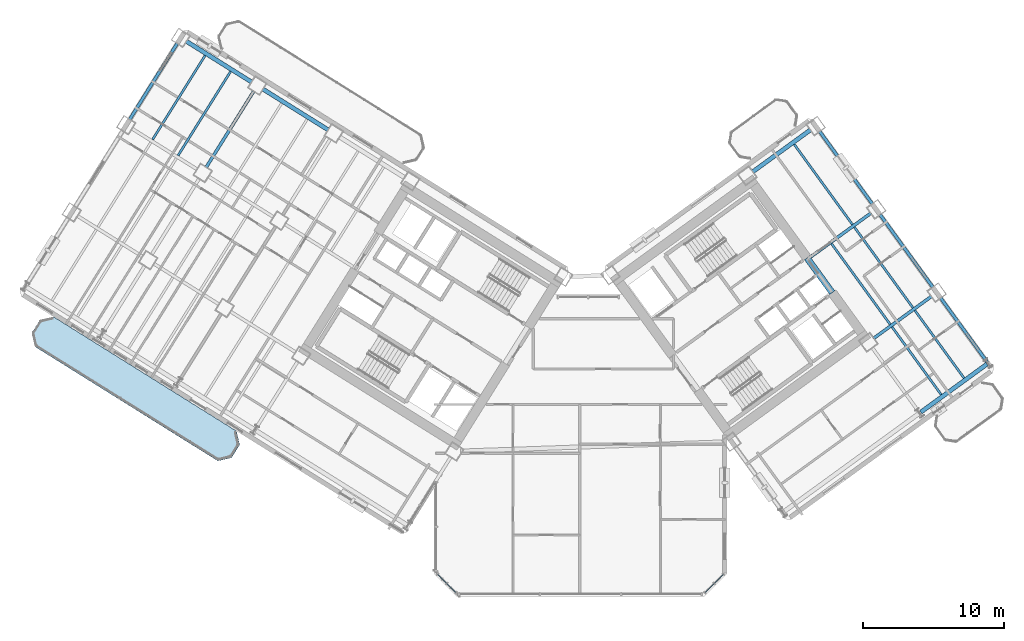
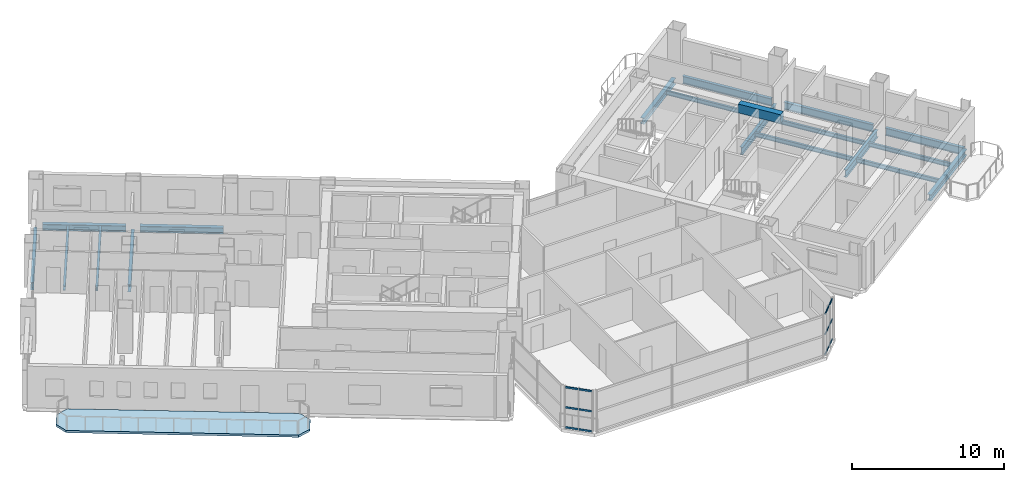
# One storey, part 12 of 24: 19 beams, 12 members, 1 slab, 2 elements without a shape of their own.
"""IFC4 building model written with IfcOpenShell, lengths in metres."""

from ifc_helpers import new_model, si_unit, direction, frame, origin, origin_2d, place, context, subcontext, project, spatial, polyline, rectangle, hollow_rectangle, i_section, outline, extrude, source, transform, mapped, material, layer, layer_set, material_profile, profile_set, type_object, element, aggregate, save


model = new_model("IFC4")

# Units and contexts
model_context = context("Model", 3, precision=1e-05, world=origin(), true_north=direction((0.0, 1.0)))
body_context = subcontext(model_context, "Body", "Model", "MODEL_VIEW")
ifc_project = project(units=[si_unit("LENGTHUNIT", "METRE"), si_unit("AREAUNIT", "SQUARE_METRE"), si_unit("VOLUMEUNIT", "CUBIC_METRE"), si_unit("PLANEANGLEUNIT", "RADIAN"), si_unit("MASSUNIT", "GRAM", prefix="KILO")], contexts=[model_context])

# Site, building, storey
site_placement = place(None, origin())
site = spatial("IfcSite", under=ifc_project, at=site_placement, CompositionType="ELEMENT")
building_placement = place(site_placement, origin())
building = spatial("IfcBuilding", under=site, at=building_placement, Name="Tlacorven Tower", CompositionType="ELEMENT")
storey_placement = place(building_placement, frame((0.0, 0.0, 31.199951171875)))
storey = spatial("IfcBuildingStorey", under=building, at=storey_placement, Name="L07", CompositionType="ELEMENT", Elevation=31.199951171875)

# Beams
ifc_material_1 = material(Name="Concrete C60/75", Category="concrete")
ifc_material_profile_1 = material_profile(ifc_material_1, rectangle(XDim=0.449951171875, YDim=0.699951171875, at=origin_2d()), Name="RC 450X700")
ifc_profile_set_1 = profile_set([ifc_material_profile_1], Name="Concrete C60/75")
beam_type_1 = type_object("IfcBeamType", Name="BM-LNT-700", PredefinedType="LINTEL", material=ifc_profile_set_1)
shared_shape_1 = source(origin(), body_context, "Body", "SweptSolid", [
    extrude(rectangle(XDim=0.449951171875, YDim=0.699951171875, at=origin_2d()), origin(), (0.0, 0.0, 1.0), 3.050048828125),
])
beam_1_placement = place(storey_placement, frame((59.856689453125, 23.345947265625, 3.0), z_axis=(-0.587776590479, 0.80902328748, 0.0), x_axis=(-0.80902328748, -0.587776590479, 0.0)))
element("IfcBeam", 1, at=beam_1_placement, inside=storey, type_object=beam_type_1, Name="L07 E core coupling lintel beam E2", PredefinedType="LINTEL", context=body_context, shape_type="MappedRepresentation", body=[
    mapped(shared_shape_1, transform((0.0, 0.0, 0.0), scale=1.0)),
])
ifc_material_2 = material(Name="Steel S355J2", Category="steel")
ifc_material_profile_2 = material_profile(ifc_material_2, i_section(OverallWidth=0.300048828125, OverallDepth=0.489990234375, WebThickness=0.011962890625, FlangeThickness=0.02294921875, at=origin_2d()), Name="HEA 500")
ifc_profile_set_2 = profile_set([ifc_material_profile_2], Name="Steel S355J2")
beam_type_2 = type_object("IfcBeamType", Name="BM-SPN-500", PredefinedType="SPANDREL", material=ifc_profile_set_2)
shared_shape_2 = source(origin(), body_context, "Body", "SweptSolid", [
    extrude(i_section(OverallWidth=0.300048828125, OverallDepth=0.489990234375, WebThickness=0.011962890625, FlangeThickness=0.02294921875, at=origin_2d()), origin(), (0.0, 0.0, 1.0), 5.5),
])
for number, where, z_axis, x_axis, name in (
    (2, (24.118896484375, 34.88134765625, -0.494873046875), (-0.848050668838, 0.52991514706, 0.0), (-0.52991514706, -0.848050668838, 0.0), "L07 beam BM-L07-WL1-4"),
    (3, (18.69140625, 38.272705078125, -0.494873046875), (-0.848050668838, 0.52991514706, 0.0), (-0.52991514706, -0.848050668838, 0.0), "L07 beam BM-L07-WL1-5"),
):
    element("IfcBeam", number, at=place(storey_placement, frame(where, z_axis=z_axis, x_axis=x_axis)), inside=storey, type_object=beam_type_2, Name=name, PredefinedType="SPANDREL", context=body_context, shape_type="MappedRepresentation", body=[
        mapped(shared_shape_2, transform((0.0, 0.0, 0.0), scale=1.0)),
    ])
ifc_material_profile_3 = material_profile(ifc_material_2, i_section(OverallWidth=0.219970703125, OverallDepth=0.60009765625, WebThickness=0.011962890625, FlangeThickness=0.01904296875, at=origin_2d()), Name="IPE 600")
ifc_profile_set_3 = profile_set([ifc_material_profile_3], Name="Steel S355J2")
beam_type_3 = type_object("IfcBeamType", Name="BM-TWR-600", PredefinedType="BEAM", material=ifc_profile_set_3)
shared_shape_3 = source(origin(), body_context, "Body", "SweptSolid", [
    extrude(i_section(OverallWidth=0.219970703125, OverallDepth=0.60009765625, WebThickness=0.011962890625, FlangeThickness=0.01904296875, at=origin_2d()), origin(), (0.0, 0.0, 1.0), 5.650146484375),
])
beam_2_placement = place(storey_placement, frame((70.853271484375, 18.41845703125, -0.550048828125), z_axis=(-0.587783675561, 0.809018139935, 0.0), x_axis=(-0.809018139935, -0.587783675561, 0.0)))
element("IfcBeam", 4, at=beam_2_placement, inside=storey, type_object=beam_type_3, Name="L07 beam BM-L07-ET4-1", PredefinedType="BEAM", context=body_context, shape_type="MappedRepresentation", body=[
    mapped(shared_shape_3, transform((0.0, 0.0, 0.0), scale=1.0)),
])
shared_shape_4 = source(origin(), body_context, "Body", "SweptSolid", [
    extrude(i_section(OverallWidth=0.219970703125, OverallDepth=0.60009765625, WebThickness=0.011962890625, FlangeThickness=0.01904296875, at=origin_2d()), origin(), (0.0, 0.0, 1.0), 6.39990234375),
])
for number, where, z_axis, x_axis, name in (
    (5, (67.003173828125, 23.717529296875, -0.550048828125), (-0.587772420479, 0.809026317077, 0.0), (-0.809026317077, -0.587772420479, 0.0), "L07 beam BM-L07-ET4-2"),
    (6, (62.71240234375, 29.62353515625, -0.550048828125), (-0.587815528162, 0.808994996803, 0.0), (-0.808994996803, -0.587815528162, 0.0), "L07 beam BM-L07-ET4-3"),
):
    element("IfcBeam", number, at=place(storey_placement, frame(where, z_axis=z_axis, x_axis=x_axis)), inside=storey, type_object=beam_type_3, Name=name, PredefinedType="BEAM", context=body_context, shape_type="MappedRepresentation", body=[
        mapped(shared_shape_4, transform((0.0, 0.0, 0.0), scale=1.0)),
    ])
shared_shape_5 = source(origin(), body_context, "Body", "SweptSolid", [
    extrude(i_section(OverallWidth=0.219970703125, OverallDepth=0.60009765625, WebThickness=0.011962890625, FlangeThickness=0.01904296875, at=origin_2d()), origin(), (0.0, 0.0, 1.0), 6.400146484375),
])
for number, where, z_axis, x_axis, name in (
    (7, (18.83447265625, 37.652587890625, -0.550048828125), (-0.529933789039, -0.848039019877, 0.0), (0.848039019877, -0.529933789039, 0.0), "L07 beam BM-L07-WT5-1"),
    (8, (13.406982421875, 41.044189453125, -0.550048828125), (-0.529933789039, -0.848039019877, 0.0), (0.848039019877, -0.529933789039, 0.0), "L07 beam BM-L07-WT6-1"),
):
    element("IfcBeam", number, at=place(storey_placement, frame(where, z_axis=z_axis, x_axis=x_axis)), inside=storey, type_object=beam_type_3, Name=name, PredefinedType="BEAM", context=body_context, shape_type="MappedRepresentation", body=[
        mapped(shared_shape_5, transform((0.0, 0.0, 0.0), scale=1.0)),
    ])
ifc_material_profile_4 = material_profile(ifc_material_2, i_section(OverallWidth=0.159912109375, OverallDepth=0.330078125, WebThickness=0.007568359375, FlangeThickness=0.011474609375, at=origin_2d()), Name="IPE 330")
ifc_profile_set_4 = profile_set([ifc_material_profile_4], Name="Steel S355J2")
beam_type_4 = type_object("IfcBeamType", Name="BM-JST-330", PredefinedType="JOIST", material=ifc_profile_set_4)
shared_shape_6 = source(origin(), body_context, "Body", "SweptSolid", [
    extrude(i_section(OverallWidth=0.159912109375, OverallDepth=0.330078125, WebThickness=0.007568359375, FlangeThickness=0.011474609375, at=origin_2d()), origin(), (0.0, 0.0, 1.0), 7.030029296875),
])
for number, where, z_axis, x_axis, name in (
    (9, (17.181640625, 39.033447265625, -0.4150390625), (-0.529911532383, -0.848052927504, 0.0), (0.848052927504, -0.529911532383, 0.0), "L07 beam BM-L07-WJ5-1-1"),
    (10, (15.372314453125, 40.163818359375, -0.4150390625), (-0.529927139185, -0.84804317529, 0.0), (0.84804317529, -0.529927139185, 0.0), "L07 beam BM-L07-WJ5-1-2"),
    (11, (61.291259765625, 28.1767578125, -0.4150390625), (-0.587773097846, 0.809025824958, 0.0), (-0.809025824958, -0.587773097846, 0.0), "L07 beam BM-L07-EJ3-3-2"),
):
    element("IfcBeam", number, at=place(storey_placement, frame(where, z_axis=z_axis, x_axis=x_axis)), inside=storey, type_object=beam_type_4, Name=name, PredefinedType="JOIST", context=body_context, shape_type="MappedRepresentation", body=[
        mapped(shared_shape_6, transform((0.0, 0.0, 0.0), scale=1.0)),
    ])
shared_shape_7 = source(origin(), body_context, "Body", "SweptSolid", [
    extrude(i_section(OverallWidth=0.159912109375, OverallDepth=0.330078125, WebThickness=0.007568359375, FlangeThickness=0.011474609375, at=origin_2d()), origin(), (0.0, 0.0, 1.0), 5.93017578125),
])
for number, where, z_axis, x_axis, name in (
    (12, (67.584716796875, 16.11181640625, -0.4150390625), (-0.587777512947, 0.809022617282, 0.0), (-0.809022617282, -0.587777512947, 0.0), "L07 beam BM-L07-EJ3-1-1"),
    (13, (69.202880859375, 17.287353515625, -0.4150390625), (-0.587777512947, 0.809022617282, 0.0), (-0.809022617282, -0.587777512947, 0.0), "L07 beam BM-L07-EJ3-1-2"),
):
    element("IfcBeam", number, at=place(storey_placement, frame(where, z_axis=z_axis, x_axis=x_axis)), inside=storey, type_object=beam_type_4, Name=name, PredefinedType="JOIST", context=body_context, shape_type="MappedRepresentation", body=[
        mapped(shared_shape_7, transform((0.0, 0.0, 0.0), scale=1.0)),
    ])
shared_shape_8 = source(origin(), body_context, "Body", "SweptSolid", [
    extrude(i_section(OverallWidth=0.159912109375, OverallDepth=0.330078125, WebThickness=0.007568359375, FlangeThickness=0.011474609375, at=origin_2d()), origin(), (0.0, 0.0, 1.0), 7.070068359375),
])
beam_3_placement = place(storey_placement, frame((63.964111328125, 21.095458984375, -0.4150390625), z_axis=(-0.587797946309, 0.80900777148, 0.0), x_axis=(-0.80900777148, -0.587797946309, 0.0)))
element("IfcBeam", 14, at=beam_3_placement, inside=storey, type_object=beam_type_4, Name="L07 beam BM-L07-EJ3-2-1", PredefinedType="JOIST", context=body_context, shape_type="MappedRepresentation", body=[
    mapped(shared_shape_8, transform((0.0, 0.0, 0.0), scale=1.0)),
])
shared_shape_9 = source(origin(), body_context, "Body", "SweptSolid", [
    extrude(i_section(OverallWidth=0.159912109375, OverallDepth=0.330078125, WebThickness=0.007568359375, FlangeThickness=0.011474609375, at=origin_2d()), origin(), (0.0, 0.0, 1.0), 7.06982421875),
])
beam_4_placement = place(storey_placement, frame((65.58203125, 22.27099609375, -0.4150390625), z_axis=(-0.58777534487, 0.809024192446, 0.0), x_axis=(-0.809024192446, -0.58777534487, 0.0)))
element("IfcBeam", 15, at=beam_4_placement, inside=storey, type_object=beam_type_4, Name="L07 beam BM-L07-EJ3-2-2", PredefinedType="JOIST", context=body_context, shape_type="MappedRepresentation", body=[
    mapped(shared_shape_9, transform((0.0, 0.0, 0.0), scale=1.0)),
])
shared_shape_10 = source(origin(), body_context, "Body", "SweptSolid", [
    extrude(i_section(OverallWidth=0.300048828125, OverallDepth=0.489990234375, WebThickness=0.011962890625, FlangeThickness=0.02294921875, at=origin_2d()), origin(), (0.0, 0.0, 1.0), 5.800048828125),
])
beam_5_placement = place(storey_placement, frame((66.138671875, 14.86962890625, -0.494873046875), z_axis=(0.809019944521, 0.587781191743, 0.0), x_axis=(-0.587781191743, 0.809019944521, 0.0)))
element("IfcBeam", 16, at=beam_5_placement, inside=storey, type_object=beam_type_2, Name="L07 beam BM-L07-EL1-3", PredefinedType="SPANDREL", context=body_context, shape_type="MappedRepresentation", body=[
    mapped(shared_shape_10, transform((0.0, 0.0, 0.0), scale=1.0)),
])
shared_shape_11 = source(origin(), body_context, "Body", "SweptSolid", [
    extrude(i_section(OverallWidth=0.219970703125, OverallDepth=0.60009765625, WebThickness=0.011962890625, FlangeThickness=0.01904296875, at=origin_2d()), origin(), (0.0, 0.0, 1.0), 5.10009765625),
])
beam_6_placement = place(storey_placement, frame((62.777587890625, 20.09130859375, -0.550048828125), z_axis=(0.809007176828, 0.58779876475, 0.0), x_axis=(-0.58779876475, 0.809007176828, 0.0)))
element("IfcBeam", 17, at=beam_6_placement, inside=storey, type_object=beam_type_3, Name="L07 beam BM-L07-EL2-3", PredefinedType="BEAM", context=body_context, shape_type="MappedRepresentation", body=[
    mapped(shared_shape_11, transform((0.0, 0.0, 0.0), scale=1.0)),
])
shared_shape_12 = source(origin(), body_context, "Body", "SweptSolid", [
    extrude(i_section(OverallWidth=0.219970703125, OverallDepth=0.60009765625, WebThickness=0.011962890625, FlangeThickness=0.01904296875, at=origin_2d()), origin(), (0.0, 0.0, 1.0), 5.510009765625),
])
beam_7_placement = place(storey_placement, frame((58.155029296875, 25.756103515625, -0.550048828125), z_axis=(0.809015730594, 0.587786991734, 0.0), x_axis=(-0.587786991734, 0.809015730594, 0.0)))
element("IfcBeam", 18, at=beam_7_placement, inside=storey, type_object=beam_type_3, Name="L07 beam BM-L07-EL3-3", PredefinedType="BEAM", context=body_context, shape_type="MappedRepresentation", body=[
    mapped(shared_shape_12, transform((0.0, 0.0, 0.0), scale=1.0)),
])
shared_shape_13 = source(origin(), body_context, "Body", "SweptSolid", [
    extrude(i_section(OverallWidth=0.300048828125, OverallDepth=0.489990234375, WebThickness=0.011962890625, FlangeThickness=0.02294921875, at=origin_2d()), origin(), (0.0, 0.0, 1.0), 5.099853515625),
])
beam_8_placement = place(storey_placement, frame((54.196044921875, 31.903076171875, -0.494873046875), z_axis=(0.809029940764, 0.587767432704, 0.0), x_axis=(-0.587767432704, 0.809029940764, 0.0)))
element("IfcBeam", 19, at=beam_8_placement, inside=storey, type_object=beam_type_2, Name="L07 beam BM-L07-EL4-3", PredefinedType="SPANDREL", context=body_context, shape_type="MappedRepresentation", body=[
    mapped(shared_shape_13, transform((0.0, 0.0, 0.0), scale=1.0)),
])

# Curtain wall, members
ifc_material_3 = material(Name="Dark solar low-E double glazing in aluminium frame", Category="aluminium")
curtain_wall_type = type_object("IfcCurtainWallType", Name="CW-TWR-LOW", PredefinedType="USERDEFINED", material=ifc_material_3)
curtain_wall_1_placement = place(storey_placement, origin())
curtain_wall_1 = element("IfcCurtainWall", 20, at=curtain_wall_1_placement, inside=storey, type_object=curtain_wall_type, Name="L07 CW-TWR-LOW Curtain Wall 33", ObjectType="UNITISED CURTAIN WALL", PredefinedType="USERDEFINED")
ifc_material_4 = material(Name="Aluminium 6063-T6 anodised", Category="aluminium")
ifc_material_profile_5 = material_profile(ifc_material_4, hollow_rectangle(XDim=0.06005859375, YDim=0.139892578125, WallThickness=0.00390625, at=origin_2d()), Name="ALU TRANSOM 60X140")
ifc_profile_set_5 = profile_set([ifc_material_profile_5], Name="Aluminium 6063-T6 anodised")
member_type = type_object("IfcMemberType", Name="CWT-02", PredefinedType="USERDEFINED", material=ifc_profile_set_5)
shared_shape_14 = source(origin(), body_context, "Body", "SweptSolid", [
    extrude(hollow_rectangle(XDim=0.06005859375, YDim=0.139892578125, WallThickness=0.00390625, at=origin_2d()), origin(), (0.0, 0.0, 1.0), 0.8837890625),
])
member_1_placement = place(storey_placement, frame((52.128173828125, 3.3544921875, 0.070068359375), z_axis=(-0.707106781187, -0.707106781187, 0.0), x_axis=(0.707106781187, -0.707106781187, 0.0)))
member_1 = element("IfcMember", 21, at=member_1_placement, type_object=member_type, Name="CW-L07-033 Transom 1", ObjectType="TRANSOM", PredefinedType="USERDEFINED", context=body_context, shape_type="MappedRepresentation", body=[
    mapped(shared_shape_14, transform((0.0, 0.0, 0.0), scale=1.0)),
])
member_2_placement = place(storey_placement, frame((52.128173828125, 3.3544921875, 1.675048828125), z_axis=(-0.707106781187, -0.707106781187, 0.0), x_axis=(0.707106781187, -0.707106781187, 0.0)))
member_2 = element("IfcMember", 22, at=member_2_placement, type_object=member_type, Name="CW-L07-033 Transom 2", ObjectType="TRANSOM", PredefinedType="USERDEFINED", context=body_context, shape_type="MappedRepresentation", body=[
    mapped(shared_shape_14, transform((0.0, 0.0, 0.0), scale=1.0)),
])
member_3_placement = place(storey_placement, frame((52.128173828125, 3.3544921875, 3.280029296875), z_axis=(-0.707106781187, -0.707106781187, 0.0), x_axis=(0.707106781187, -0.707106781187, 0.0)))
member_3 = element("IfcMember", 23, at=member_3_placement, type_object=member_type, Name="CW-L07-033 Transom 3", ObjectType="TRANSOM", PredefinedType="USERDEFINED", context=body_context, shape_type="MappedRepresentation", body=[
    mapped(shared_shape_14, transform((0.0, 0.0, 0.0), scale=1.0)),
])

curtain_wall_2_placement = place(storey_placement, origin())
curtain_wall_2 = element("IfcCurtainWall", 24, at=curtain_wall_2_placement, inside=storey, type_object=curtain_wall_type, Name="L07 CW-TWR-LOW Curtain Wall 35", ObjectType="UNITISED CURTAIN WALL", PredefinedType="USERDEFINED")
member_4_placement = place(storey_placement, frame((32.496826171875, 2.7294921875, 0.070068359375), z_axis=(-0.707106781187, 0.707106781187, 0.0), x_axis=(-0.707106781187, -0.707106781187, 0.0)))
member_4 = element("IfcMember", 25, at=member_4_placement, type_object=member_type, Name="CW-L07-035 Transom 4", ObjectType="TRANSOM", PredefinedType="USERDEFINED", context=body_context, shape_type="MappedRepresentation", body=[
    mapped(shared_shape_14, transform((0.0, 0.0, 0.0), scale=1.0)),
])
member_5_placement = place(storey_placement, frame((32.496826171875, 2.7294921875, 1.675048828125), z_axis=(-0.707106781187, 0.707106781187, 0.0), x_axis=(-0.707106781187, -0.707106781187, 0.0)))
member_5 = element("IfcMember", 26, at=member_5_placement, type_object=member_type, Name="CW-L07-035 Transom 5", ObjectType="TRANSOM", PredefinedType="USERDEFINED", context=body_context, shape_type="MappedRepresentation", body=[
    mapped(shared_shape_14, transform((0.0, 0.0, 0.0), scale=1.0)),
])
member_6_placement = place(storey_placement, frame((32.496826171875, 2.7294921875, 3.280029296875), z_axis=(-0.707106781187, 0.707106781187, 0.0), x_axis=(-0.707106781187, -0.707106781187, 0.0)))
member_6 = element("IfcMember", 27, at=member_6_placement, type_object=member_type, Name="CW-L07-035 Transom 6", ObjectType="TRANSOM", PredefinedType="USERDEFINED", context=body_context, shape_type="MappedRepresentation", body=[
    mapped(shared_shape_14, transform((0.0, 0.0, 0.0), scale=1.0)),
])

# Member
shared_shape_15 = source(origin(), body_context, "Body", "SweptSolid", [
    extrude(hollow_rectangle(XDim=0.06005859375, YDim=0.139892578125, WallThickness=0.00390625, at=origin_2d()), origin(), (0.0, 0.0, 1.0), 0.884033203125),
])
member_7_placement = place(storey_placement, frame((51.470703125, 2.69677734375, 0.070068359375), z_axis=(-0.707244847527, -0.706968687883, 0.0), x_axis=(0.706968687883, -0.707244847527, 0.0)))
member_7 = element("IfcMember", 28, at=member_7_placement, type_object=member_type, Name="CW-L07-033 Transom 4", ObjectType="TRANSOM", PredefinedType="USERDEFINED", context=body_context, shape_type="MappedRepresentation", body=[
    mapped(shared_shape_15, transform((0.0, 0.0, 0.0), scale=1.0)),
])

member_8_placement = place(storey_placement, frame((51.470703125, 2.69677734375, 1.675048828125), z_axis=(-0.707244847527, -0.706968687883, 0.0), x_axis=(0.706968687883, -0.707244847527, 0.0)))
member_8 = element("IfcMember", 29, at=member_8_placement, type_object=member_type, Name="CW-L07-033 Transom 5", ObjectType="TRANSOM", PredefinedType="USERDEFINED", context=body_context, shape_type="MappedRepresentation", body=[
    mapped(shared_shape_15, transform((0.0, 0.0, 0.0), scale=1.0)),
])

member_9_placement = place(storey_placement, frame((51.470703125, 2.69677734375, 3.280029296875), z_axis=(-0.707244847527, -0.706968687883, 0.0), x_axis=(0.706968687883, -0.707244847527, 0.0)))
member_9 = element("IfcMember", 30, at=member_9_placement, type_object=member_type, Name="CW-L07-033 Transom 6", ObjectType="TRANSOM", PredefinedType="USERDEFINED", context=body_context, shape_type="MappedRepresentation", body=[
    mapped(shared_shape_15, transform((0.0, 0.0, 0.0), scale=1.0)),
])

aggregate(curtain_wall_1, [member_1, member_2, member_3, member_7, member_8, member_9])

member_10_placement = place(storey_placement, frame((33.154541015625, 2.07177734375, 0.070068359375), z_axis=(-0.707244847527, 0.706968687883, 0.0), x_axis=(-0.706968687883, -0.707244847527, 0.0)))
member_10 = element("IfcMember", 31, at=member_10_placement, type_object=member_type, Name="CW-L07-035 Transom 1", ObjectType="TRANSOM", PredefinedType="USERDEFINED", context=body_context, shape_type="MappedRepresentation", body=[
    mapped(shared_shape_15, transform((0.0, 0.0, 0.0), scale=1.0)),
])

member_11_placement = place(storey_placement, frame((33.154541015625, 2.07177734375, 1.675048828125), z_axis=(-0.707244847527, 0.706968687883, 0.0), x_axis=(-0.706968687883, -0.707244847527, 0.0)))
member_11 = element("IfcMember", 32, at=member_11_placement, type_object=member_type, Name="CW-L07-035 Transom 2", ObjectType="TRANSOM", PredefinedType="USERDEFINED", context=body_context, shape_type="MappedRepresentation", body=[
    mapped(shared_shape_15, transform((0.0, 0.0, 0.0), scale=1.0)),
])

member_12_placement = place(storey_placement, frame((33.154541015625, 2.07177734375, 3.280029296875), z_axis=(-0.707244847527, 0.706968687883, 0.0), x_axis=(-0.706968687883, -0.707244847527, 0.0)))
member_12 = element("IfcMember", 33, at=member_12_placement, type_object=member_type, Name="CW-L07-035 Transom 3", ObjectType="TRANSOM", PredefinedType="USERDEFINED", context=body_context, shape_type="MappedRepresentation", body=[
    mapped(shared_shape_15, transform((0.0, 0.0, 0.0), scale=1.0)),
])

aggregate(curtain_wall_2, [member_10, member_11, member_12, member_4, member_5, member_6])

# Slab
ifc_material_5 = material(Name="Precast concrete C45/55", Category="concrete")
ifc_layer = layer(ifc_material_5, 0.179931640625)
ifc_layer_set = layer_set([ifc_layer], Name="Precast concrete C45/55")
slab_type = type_object("IfcSlabType", Name="SL-BAL-180", PredefinedType="USERDEFINED", material=ifc_layer_set)
slab_placement = place(storey_placement, frame((0.0, 0.0, -0.179931640625)))
element("IfcSlab", 34, at=slab_placement, inside=storey, type_object=slab_type, Name="L07 West Wing Balcony Ribbon OUT", ObjectType="BALCONY SLAB", PredefinedType="USERDEFINED", context=body_context, shape_type="SweptSolid", body=[
    extrude(outline(polyline([(17.601318359375, 13.52490234375), (4.626220703125, 21.632568359375), (3.66162109375, 21.409912109375), (3.081298828125, 20.4814453125), (3.303955078125, 19.516845703125), (16.279052734375, 11.408935546875), (17.24365234375, 11.6318359375), (17.823974609375, 12.560302734375), (17.601318359375, 13.52490234375)])), origin(), (0.0, 0.0, 1.0), 0.179931640625),
])

save(model, "model.ifc")
